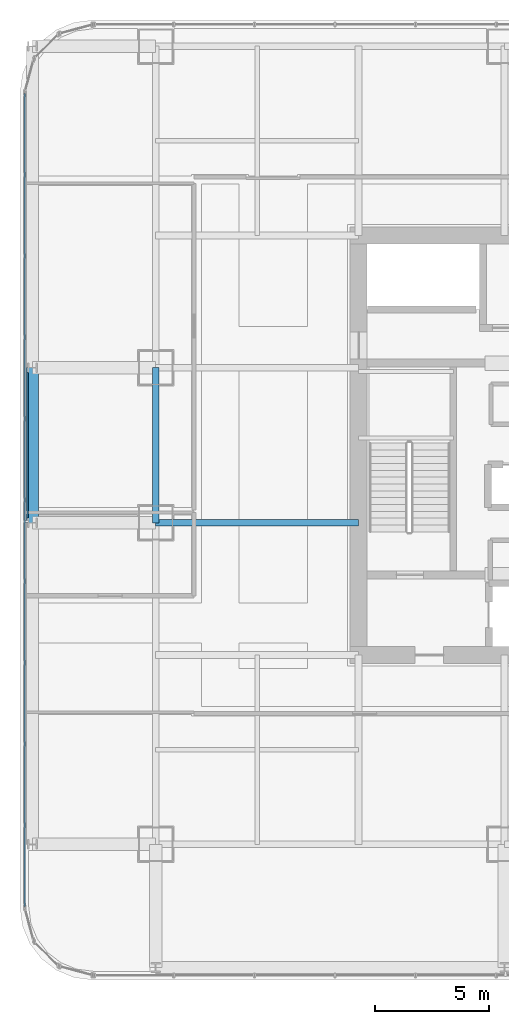
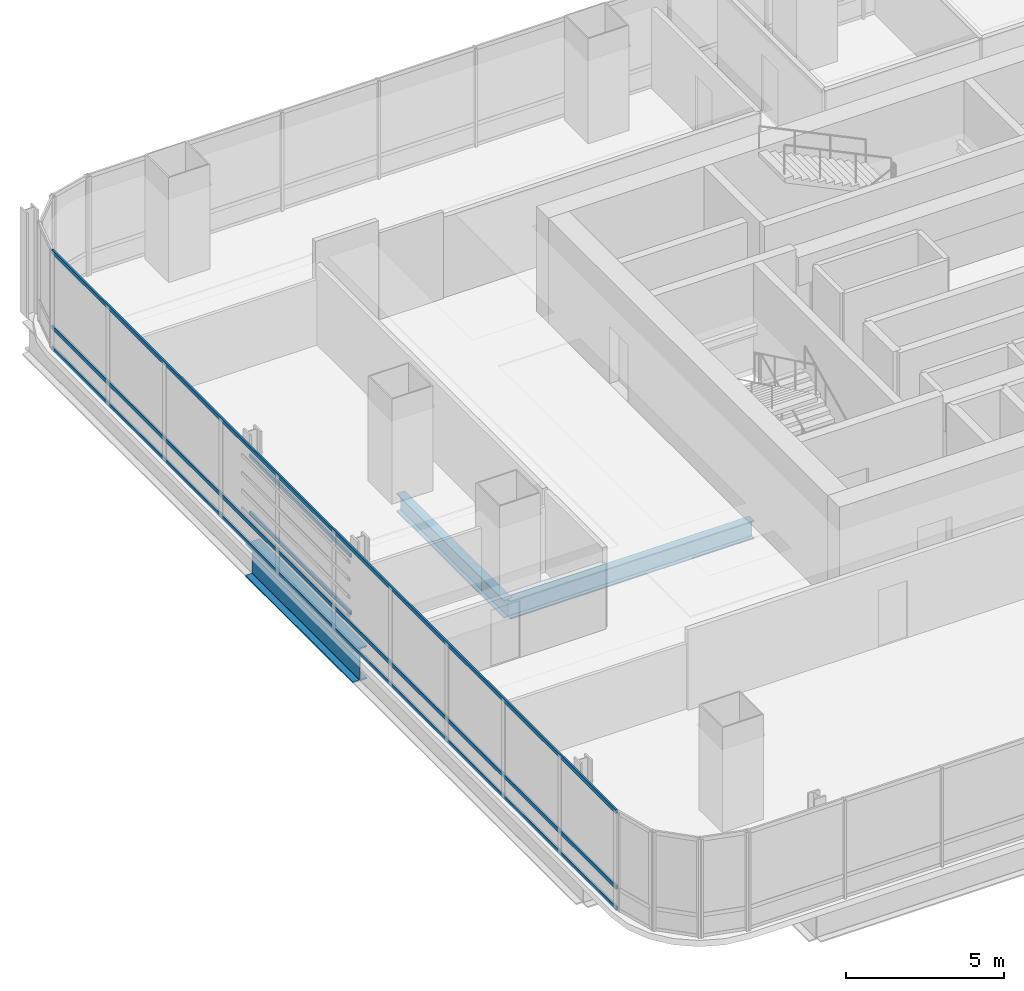
# One storey, part 10 of 36: 5 members, 3 beams, 1 element without a shape of its own.
"""IFC4 building model written with IfcOpenShell, lengths in metres."""

from ifc_helpers import new_model, si_unit, direction, frame, origin, origin_2d, place, context, subcontext, project, spatial, hollow_rectangle, i_section, extrude, material, material_profile, profile_set, type_object, element, aggregate, save


model = new_model("IFC4")

# Units and contexts
model_context = context("Model", 3, precision=1e-05, world=origin(), true_north=direction((0.0, 1.0)))
body_context = subcontext(model_context, "Body", "Model", "MODEL_VIEW")
ifc_project = project(units=[si_unit("LENGTHUNIT", "METRE"), si_unit("AREAUNIT", "SQUARE_METRE"), si_unit("VOLUMEUNIT", "CUBIC_METRE"), si_unit("PLANEANGLEUNIT", "RADIAN"), si_unit("MASSUNIT", "GRAM", prefix="KILO")], contexts=[model_context])

# Site, building, storey
site_placement = place(None, origin())
site = spatial("IfcSite", under=ifc_project, at=site_placement, CompositionType="ELEMENT")
building_placement = place(site_placement, origin())
building = spatial("IfcBuilding", under=site, at=building_placement, Name="Punatoya Terracotta Tower", CompositionType="ELEMENT")
storey_placement = place(building_placement, frame((0.0, 0.0, 40.35009765625)))
storey = spatial("IfcBuildingStorey", under=building, at=storey_placement, Name="L08", CompositionType="ELEMENT", Elevation=40.35009765625)

# Beams
ifc_material_1 = material(Name="Steel S355", Category="steel")
ifc_material_profile_1 = material_profile(ifc_material_1, i_section(OverallWidth=0.300048828125, OverallDepth=0.699951171875, WebThickness=0.01708984375, FlangeThickness=0.031982421875, FilletRadius=0.01806640625, at=origin_2d()))
ifc_profile_set_1 = profile_set([ifc_material_profile_1], Name="Steel S355")
beam_type_1 = type_object("IfcBeamType", Name="BM-PRI-700", PredefinedType="BEAM", material=ifc_profile_set_1)
beam_1_placement = place(storey_placement, frame((-19.10009765625, -3.39990234375, -0.590087890625), z_axis=(0.0, 1.0, 0.0), x_axis=(-1.0, 0.0, 0.0)))
element("IfcBeam", 1, at=beam_1_placement, inside=storey, type_object=beam_type_1, Name="BM-L08-RG-W2", PredefinedType="BEAM", context=body_context, shape_type="SweptSolid", body=[
    extrude(i_section(OverallWidth=0.300048828125, OverallDepth=0.699951171875, WebThickness=0.01708984375, FlangeThickness=0.031982421875, FilletRadius=0.01806640625, at=origin_2d()), origin(), (0.0, 0.0, 1.0), 6.7998046875),
])
beam_2_placement = place(storey_placement, frame((-19.10009765625, -3.39990234375, -0.590087890625), z_axis=(1.0, 0.0, 0.0), x_axis=(0.0, 1.0, 0.0)))
element("IfcBeam", 2, at=beam_2_placement, inside=storey, type_object=beam_type_1, Name="BM-L08-PR-WD", PredefinedType="BEAM", context=body_context, shape_type="SweptSolid", body=[
    extrude(i_section(OverallWidth=0.300048828125, OverallDepth=0.699951171875, WebThickness=0.01708984375, FlangeThickness=0.031982421875, FilletRadius=0.01806640625, at=origin_2d()), origin(), (0.0, 0.0, 1.0), 8.900146484375),
])
ifc_material_2 = material(Name="Steel S460", Category="steel")
ifc_material_profile_2 = material_profile(ifc_material_2, i_section(OverallWidth=0.52001953125, OverallDepth=1.280029296875, WebThickness=0.031982421875, FlangeThickness=0.050048828125, FilletRadius=0.01806640625, at=origin_2d()))
ifc_profile_set_2 = profile_set([ifc_material_profile_2], Name="Steel S460")
beam_type_2 = type_object("IfcBeamType", Name="BM-TG-NCK", PredefinedType="BEAM", material=ifc_profile_set_2)
beam_3_placement = place(storey_placement, frame((-24.5, -3.39990234375, -0.880126953125), z_axis=(0.0, 1.0, 0.0), x_axis=(-1.0, 0.0, 0.0)))
element("IfcBeam", 3, at=beam_3_placement, inside=storey, type_object=beam_type_2, Name="BM-L08-PER-W2", PredefinedType="BEAM", context=body_context, shape_type="SweptSolid", body=[
    extrude(i_section(OverallWidth=0.52001953125, OverallDepth=1.280029296875, WebThickness=0.031982421875, FlangeThickness=0.050048828125, FilletRadius=0.01806640625, at=origin_2d()), origin(), (0.0, 0.0, 1.0), 6.7998046875),
])

# Curtain wall, members
ifc_material_3 = material(Name="Aluminium 6063-T6 + Double Low-E Glass", Category="aluminium")
curtain_wall_type = type_object("IfcCurtainWallType", Name="CW-M1", PredefinedType="NOTDEFINED", material=ifc_material_3)
curtain_wall_placement = place(storey_placement, origin())
curtain_wall = element("IfcCurtainWall", 4, at=curtain_wall_placement, inside=storey, type_object=curtain_wall_type, Name="L08 Curtain Wall CW-L08-W13-1", PredefinedType="NOTDEFINED")
ifc_material_4 = material(Name="Aluminium 6063-T6", Category="aluminium")
ifc_material_profile_3 = material_profile(ifc_material_4, hollow_rectangle(XDim=0.068115234375, YDim=0.14990234375, WallThickness=0.00390625, at=origin_2d()))
ifc_profile_set_3 = profile_set([ifc_material_profile_3], Name="Aluminium 6063-T6")
member_type_1 = type_object("IfcMemberType", Name="CW-TRN-TYP", PredefinedType="USERDEFINED", material=ifc_profile_set_3)
member_1_placement = place(storey_placement, frame((-24.85009765625, 15.43701171875, 0.039794921875), z_axis=(0.0, -1.0, 0.0), x_axis=(1.0, 0.0, 0.0)))
member_1 = element("IfcMember", 5, at=member_1_placement, type_object=member_type_1, Name="CW-L08-W13-1 Transom 1", ObjectType="TRANSOM", PredefinedType="USERDEFINED", context=body_context, shape_type="SweptSolid", body=[
    extrude(hollow_rectangle(XDim=0.068115234375, YDim=0.14990234375, WallThickness=0.00390625, at=origin_2d()), origin(), (0.0, 0.0, 1.0), 35.673828125),
])
member_2_placement = place(storey_placement, frame((-24.85009765625, 15.43701171875, 0.849853515625), z_axis=(0.0, -1.0, 0.0), x_axis=(1.0, 0.0, 0.0)))
member_2 = element("IfcMember", 6, at=member_2_placement, type_object=member_type_1, Name="CW-L08-W13-1 Transom 2", ObjectType="TRANSOM", PredefinedType="USERDEFINED", context=body_context, shape_type="SweptSolid", body=[
    extrude(hollow_rectangle(XDim=0.068115234375, YDim=0.14990234375, WallThickness=0.00390625, at=origin_2d()), origin(), (0.0, 0.0, 1.0), 35.673828125),
])
member_3_placement = place(storey_placement, frame((-24.85009765625, 15.43701171875, 3.77001953125), z_axis=(0.0, -1.0, 0.0), x_axis=(1.0, 0.0, 0.0)))
member_3 = element("IfcMember", 7, at=member_3_placement, type_object=member_type_1, Name="CW-L08-W13-1 Transom 3", ObjectType="TRANSOM", PredefinedType="USERDEFINED", context=body_context, shape_type="SweptSolid", body=[
    extrude(hollow_rectangle(XDim=0.068115234375, YDim=0.14990234375, WallThickness=0.00390625, at=origin_2d()), origin(), (0.0, 0.0, 1.0), 35.673828125),
])
aggregate(curtain_wall, [member_1, member_2, member_3])

# Members
ifc_material_profile_4 = material_profile(ifc_material_1, hollow_rectangle(XDim=0.070068359375, YDim=0.139892578125, WallThickness=0.006103515625, at=origin_2d()))
ifc_profile_set_4 = profile_set([ifc_material_profile_4], Name="Steel S355")
member_type_2 = type_object("IfcMemberType", Name="MEM-BAG-RAIL", PredefinedType="USERDEFINED", material=ifc_profile_set_4)
for number, where, z_axis, x_axis, name in (
    (8, (-24.705078125, -3.1923828125, 1.0498046875), (0.0, 1.0, 0.0), (-1.0, 0.0, 0.0), "L08 Terracotta Baguette Carrier Rail BAG-L08-W-R1"),
    (9, (-24.705078125, -3.1923828125, 3.260009765625), (0.0, 1.0, 0.0), (-1.0, 0.0, 0.0), "L08 Terracotta Baguette Carrier Rail BAG-L08-W-R2"),
):
    element("IfcMember", number, at=place(storey_placement, frame(where, z_axis=z_axis, x_axis=x_axis)), inside=storey, type_object=member_type_2, Name=name, ObjectType="BAGUETTE", PredefinedType="USERDEFINED", context=body_context, shape_type="SweptSolid", body=[
        extrude(hollow_rectangle(XDim=0.070068359375, YDim=0.139892578125, WallThickness=0.006103515625, at=origin_2d()), origin(), (0.0, 0.0, 1.0), 6.384765625),
    ])

save(model, "model.ifc")
